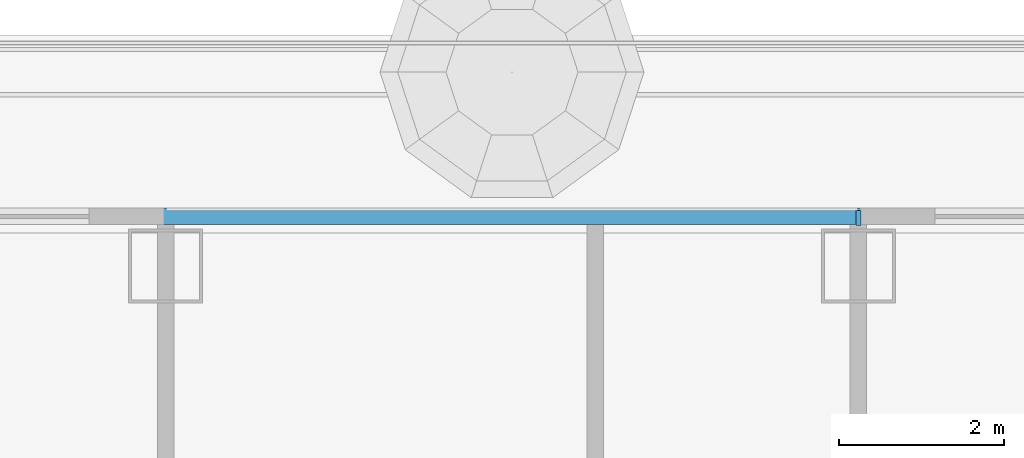
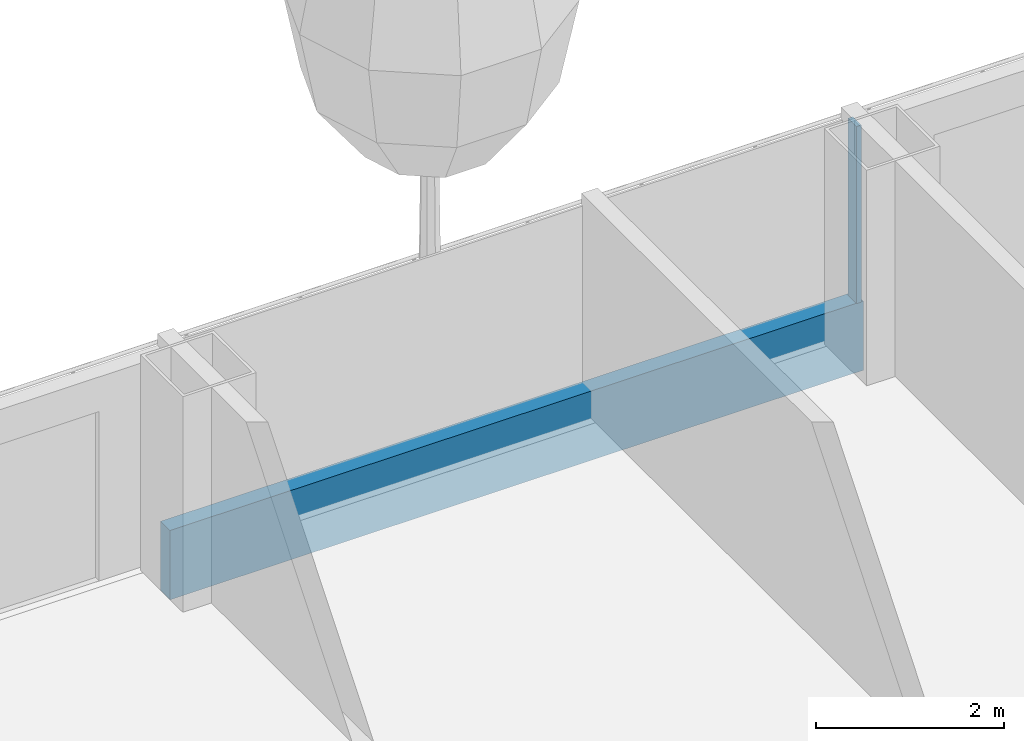
# One storey, part 6 of 37: 2 members, 1 element without a shape of its own.
"""IFC4 building model written with IfcOpenShell, lengths in metres."""

from ifc_helpers import new_model, si_unit, direction, frame, origin, origin_2d, place, context, subcontext, project, spatial, rectangle, extrude, material, layer, layer_set, material_profile, profile_set, type_object, element, aggregate, save


model = new_model("IFC4")

# Units and contexts
model_context = context("Model", 3, precision=1e-05, world=origin(), true_north=direction((0.0, 1.0)))
body_context = subcontext(model_context, "Body", "Model", "MODEL_VIEW")
ifc_project = project(units=[si_unit("LENGTHUNIT", "METRE"), si_unit("AREAUNIT", "SQUARE_METRE"), si_unit("VOLUMEUNIT", "CUBIC_METRE"), si_unit("PLANEANGLEUNIT", "RADIAN"), si_unit("MASSUNIT", "GRAM", prefix="KILO")], contexts=[model_context])

# Site, building, storey
site_placement = place(None, origin())
site = spatial("IfcSite", under=ifc_project, at=site_placement, CompositionType="ELEMENT")
building_placement = place(site_placement, origin())
building = spatial("IfcBuilding", under=site, at=building_placement, Name="Hakoniwa Tower and Hamabe Station Hall", CompositionType="ELEMENT")
storey_placement = place(building_placement, frame((0.0, 0.0, 39.0)))
storey = spatial("IfcBuildingStorey", under=building, at=storey_placement, Name="L10", CompositionType="ELEMENT", Elevation=39.0)

# Curtain wall, members
ifc_material_1 = material(Name="Dark low-e laminated glass", Category="glass")
ifc_layer = layer(ifc_material_1, 0.199951171875)
ifc_layer_set = layer_set([ifc_layer], Name="CW-1 UNITISED GUEST")
curtain_wall_type = type_object("IfcCurtainWallType", Name="CW-1 UNITISED GUEST", PredefinedType="NOTDEFINED", material=ifc_layer_set)
curtain_wall_placement = place(storey_placement, origin())
curtain_wall = element("IfcCurtainWall", 1, at=curtain_wall_placement, inside=storey, type_object=curtain_wall_type, Name="CW-1 curtain wall", PredefinedType="NOTDEFINED")
ifc_material_2 = material(Name="Aluminium 6063-T5 black anodised", Category="aluminium")
ifc_material_profile_1 = material_profile(ifc_material_2, rectangle(XDim=0.199951171875, YDim=0.89990234375, at=origin_2d()), Name="CW SLAB-EDGE BAND 900X200")
ifc_profile_set_1 = profile_set([ifc_material_profile_1], Name="Aluminium 6063-T5 black anodised")
member_type_1 = type_object("IfcMemberType", Name="CW SLAB-EDGE BAND 900X200", PredefinedType="USERDEFINED", material=ifc_profile_set_1)
member_1_placement = place(storey_placement, frame((0.06005859375, 20.199951171875, -0.10009765625), z_axis=(-1.0, 0.0, 0.0), x_axis=(0.0, -1.0, 0.0)))
member_1 = element("IfcMember", 2, at=member_1_placement, type_object=member_type_1, Name="CW-1 transom", ObjectType="TRANSOM", PredefinedType="USERDEFINED", context=body_context, shape_type="SweptSolid", body=[
    extrude(rectangle(XDim=0.199951171875, YDim=0.89990234375, at=origin_2d()), origin(), (0.0, 0.0, 1.0), 8.52001953125),
])
ifc_material_3 = material(Name="Aluminium 6063-T5 black anodised", Category="aluminium")
ifc_material_profile_2 = material_profile(ifc_material_3, rectangle(XDim=0.06005859375, YDim=0.179931640625, at=origin_2d()), Name="CW-1 MULLION 60X180")
ifc_profile_set_2 = profile_set([ifc_material_profile_2], Name="Aluminium 6063-T5 black anodised")
member_type_2 = type_object("IfcMemberType", Name="CW-1 MULLION 60X180", PredefinedType="MULLION", material=ifc_profile_set_2)
member_2_placement = place(storey_placement, frame((0.0, 20.181884765625, 0.35009765625), z_axis=(0.0, 0.0, 1.0), x_axis=(-1.0, 0.0, 0.0)))
member_2 = element("IfcMember", 3, at=member_2_placement, type_object=member_type_2, Name="CW-1 mullion", PredefinedType="MULLION", context=body_context, shape_type="SweptSolid", body=[
    extrude(rectangle(XDim=0.06005859375, YDim=0.179931640625, at=origin_2d()), origin(), (0.0, 0.0, 1.0), 2.2998046875),
])
aggregate(curtain_wall, [member_2, member_1])

save(model, "model.ifc")
